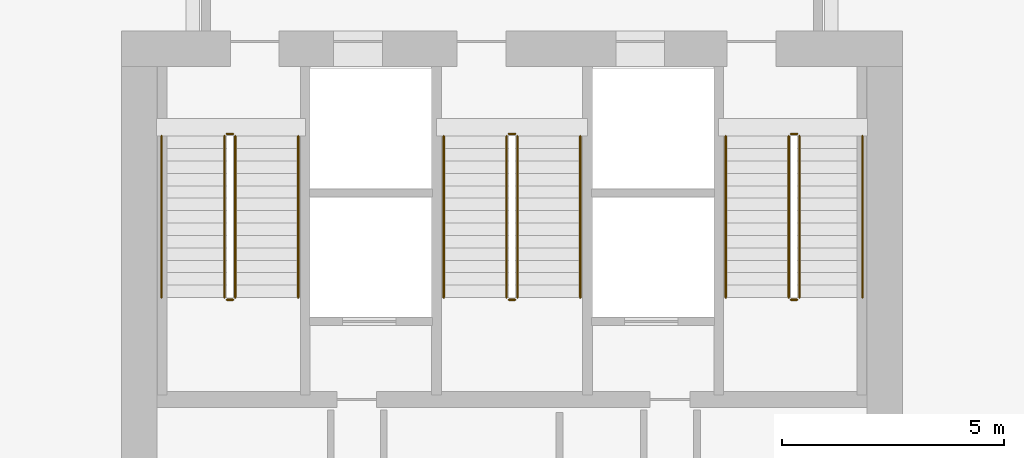
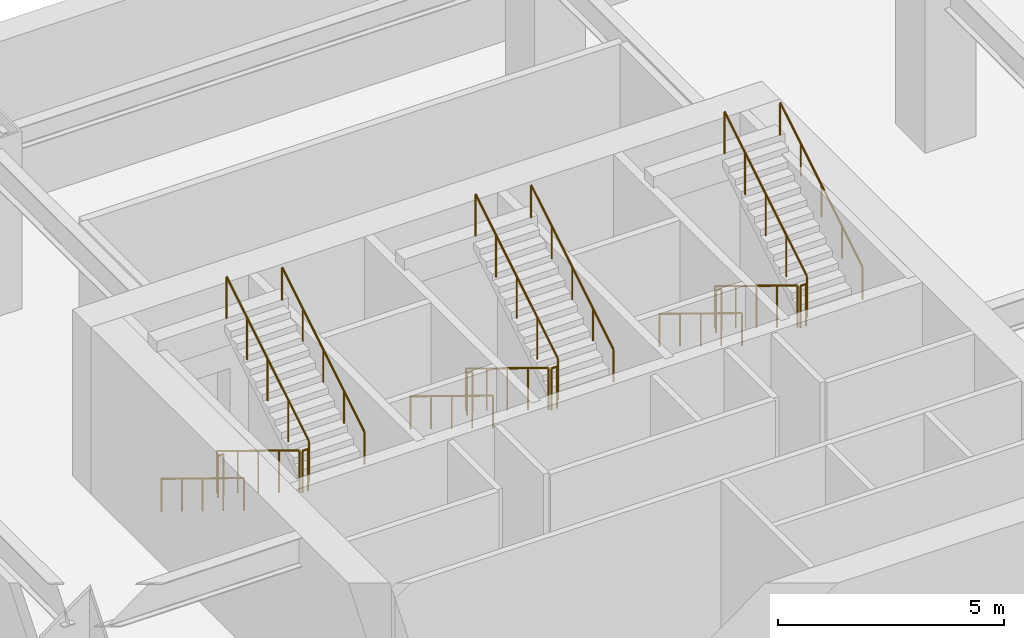
# One storey, part 13 of 15: 18 railings.
"""IFC4 building model written with IfcOpenShell, lengths in metres."""

from ifc_helpers import new_model, si_unit, direction, frame, origin, origin_2d, place, context, subcontext, project, spatial, circle, extrude, material, type_object, element, save


model = new_model("IFC4")

# Units and contexts
model_context = context("Model", 3, precision=1e-05, world=origin(), true_north=direction((0.0, 1.0)))
body_context = subcontext(model_context, "Body", "Model", "MODEL_VIEW")
ifc_project = project(units=[si_unit("LENGTHUNIT", "METRE"), si_unit("AREAUNIT", "SQUARE_METRE"), si_unit("VOLUMEUNIT", "CUBIC_METRE"), si_unit("PLANEANGLEUNIT", "RADIAN"), si_unit("MASSUNIT", "GRAM", prefix="KILO")], contexts=[model_context])

# Site, building, storey
site_placement = place(None, origin())
site = spatial("IfcSite", under=ifc_project, at=site_placement, CompositionType="ELEMENT")
building_placement = place(site_placement, origin())
building = spatial("IfcBuilding", under=site, at=building_placement, Name="Haolan Belvedere Tower", CompositionType="ELEMENT")
storey_placement = place(building_placement, frame((0.0, 0.0, -4.800048828125)))
storey = spatial("IfcBuildingStorey", under=building, at=storey_placement, Name="B1", CompositionType="ELEMENT", Elevation=-4.800048828125)

# Railings
ifc_material = material(Name="Brushed stainless steel 304", Category="steel")
railing_type_1 = type_object("IfcRailingType", Name="RL-STAIR-GRD-1150", PredefinedType="GUARDRAIL", material=ifc_material)
railing_1_placement = place(storey_placement, frame((31.919921875, 41.22998046875, 0.17138671875)))
element("IfcRailing", 1, at=railing_1_placement, inside=storey, type_object=railing_type_1, Name="B1 ST1 stair guard 1", PredefinedType="GUARDRAIL", context=body_context, shape_type="SweptSolid", body=[
    extrude(circle(Radius=0.02392578125, at=origin_2d()), frame((0.0, 0.0, 1.1259765625), z_axis=(0.0, -0.852824790078, 0.522197163366), x_axis=(1.0, 0.0, 0.0)), (0.0, 0.0, 1.0), 4.26806640625),
    extrude(circle(Radius=0.02099609375, at=origin_2d()), origin(), (0.0, 0.0, 1.0), 1.101806640625),
    extrude(circle(Radius=0.02099609375, at=origin_2d()), frame((0.0, -0.909912109375, 0.55712890625)), (0.0, 0.0, 1.0), 1.101806640625),
    extrude(circle(Radius=0.02099609375, at=origin_2d()), frame((0.0, -1.81982421875, 1.1142578125)), (0.0, 0.0, 1.0), 1.101806640625),
    extrude(circle(Radius=0.02099609375, at=origin_2d()), frame((0.0, -2.72998046875, 1.671630859375)), (0.0, 0.0, 1.0), 1.101806640625),
    extrude(circle(Radius=0.02099609375, at=origin_2d()), frame((0.0, -3.639892578125, 2.228759765625)), (0.0, 0.0, 1.0), 1.101806640625),
])
railing_2_placement = place(storey_placement, frame((31.969970703125, 37.5400390625, 2.400146484375)))
element("IfcRailing", 2, at=railing_2_placement, inside=storey, type_object=railing_type_1, Name="B1 ST1 stair guard 2", PredefinedType="GUARDRAIL", context=body_context, shape_type="SweptSolid", body=[
    extrude(circle(Radius=0.02392578125, at=origin_2d()), frame((0.0, 0.0, 1.1259765625), z_axis=(1.0, 0.0, 0.0), x_axis=(0.0, 1.0, 0.0)), (0.0, 0.0, 1.0), 0.14013671875),
    extrude(circle(Radius=0.02099609375, at=origin_2d()), origin(), (0.0, 0.0, 1.0), 1.101806640625),
    extrude(circle(Radius=0.02099609375, at=origin_2d()), frame((0.14013671875, 0.0, 0.0)), (0.0, 0.0, 1.0), 1.101806640625),
])
railing_3_placement = place(storey_placement, frame((32.159912109375, 37.590087890625, 2.571533203125)))
element("IfcRailing", 3, at=railing_3_placement, inside=storey, type_object=railing_type_1, Name="B1 ST1 stair guard 3", PredefinedType="GUARDRAIL", context=body_context, shape_type="SweptSolid", body=[
    extrude(circle(Radius=0.02392578125, at=origin_2d()), frame((0.0, 0.0, 1.1259765625), z_axis=(0.0, 0.852850264322, 0.5221555579), x_axis=(-1.0, 0.0, 0.0)), (0.0, 0.0, 1.0), 4.267822265625),
    extrude(circle(Radius=0.02099609375, at=origin_2d()), origin(), (0.0, 0.0, 1.0), 1.101806640625),
    extrude(circle(Radius=0.02099609375, at=origin_2d()), frame((0.0, 0.909912109375, 0.55712890625)), (0.0, 0.0, 1.0), 1.101806640625),
    extrude(circle(Radius=0.02099609375, at=origin_2d()), frame((0.0, 1.81982421875, 1.1142578125)), (0.0, 0.0, 1.0), 1.101806640625),
    extrude(circle(Radius=0.02099609375, at=origin_2d()), frame((0.0, 2.72998046875, 1.67138671875)), (0.0, 0.0, 1.0), 1.101806640625),
    extrude(circle(Radius=0.02099609375, at=origin_2d()), frame((0.0, 3.639892578125, 2.228515625)), (0.0, 0.0, 1.0), 1.101806640625),
])
railing_4_placement = place(storey_placement, frame((31.969970703125, 41.280029296875, 0.0)))
element("IfcRailing", 4, at=railing_4_placement, inside=storey, type_object=railing_type_1, Name="B1 ST1 stair guard 4", PredefinedType="GUARDRAIL", context=body_context, shape_type="SweptSolid", body=[
    extrude(circle(Radius=0.02392578125, at=origin_2d()), frame((0.0, 0.0, 1.1259765625), z_axis=(1.0, 0.0, 0.0), x_axis=(0.0, 1.0, 0.0)), (0.0, 0.0, 1.0), 0.14013671875),
    extrude(circle(Radius=0.02099609375, at=origin_2d()), origin(), (0.0, 0.0, 1.0), 1.101806640625),
    extrude(circle(Radius=0.02099609375, at=origin_2d()), frame((0.14013671875, 0.0, 0.0)), (0.0, 0.0, 1.0), 1.101806640625),
])
railing_5_placement = place(storey_placement, frame((38.280029296875, 41.22998046875, 0.17138671875)))
element("IfcRailing", 5, at=railing_5_placement, inside=storey, type_object=railing_type_1, Name="B1 ST3 stair guard 1", PredefinedType="GUARDRAIL", context=body_context, shape_type="SweptSolid", body=[
    extrude(circle(Radius=0.02392578125, at=origin_2d()), frame((0.0, 0.0, 1.1259765625), z_axis=(0.0, -0.852824790078, 0.522197163366), x_axis=(1.0, 0.0, 0.0)), (0.0, 0.0, 1.0), 4.26806640625),
    extrude(circle(Radius=0.02099609375, at=origin_2d()), origin(), (0.0, 0.0, 1.0), 1.101806640625),
    extrude(circle(Radius=0.02099609375, at=origin_2d()), frame((0.0, -0.909912109375, 0.55712890625)), (0.0, 0.0, 1.0), 1.101806640625),
    extrude(circle(Radius=0.02099609375, at=origin_2d()), frame((0.0, -1.81982421875, 1.1142578125)), (0.0, 0.0, 1.0), 1.101806640625),
    extrude(circle(Radius=0.02099609375, at=origin_2d()), frame((0.0, -2.72998046875, 1.671630859375)), (0.0, 0.0, 1.0), 1.101806640625),
    extrude(circle(Radius=0.02099609375, at=origin_2d()), frame((0.0, -3.639892578125, 2.228759765625)), (0.0, 0.0, 1.0), 1.101806640625),
])
railing_6_placement = place(storey_placement, frame((38.330078125, 37.5400390625, 2.400146484375)))
element("IfcRailing", 6, at=railing_6_placement, inside=storey, type_object=railing_type_1, Name="B1 ST3 stair guard 2", PredefinedType="GUARDRAIL", context=body_context, shape_type="SweptSolid", body=[
    extrude(circle(Radius=0.02392578125, at=origin_2d()), frame((0.0, 0.0, 1.1259765625), z_axis=(1.0, 0.0, 0.0), x_axis=(0.0, 1.0, 0.0)), (0.0, 0.0, 1.0), 0.139892578125),
    extrude(circle(Radius=0.02099609375, at=origin_2d()), origin(), (0.0, 0.0, 1.0), 1.101806640625),
    extrude(circle(Radius=0.02099609375, at=origin_2d()), frame((0.139892578125, 0.0, 0.0)), (0.0, 0.0, 1.0), 1.101806640625),
])
railing_7_placement = place(storey_placement, frame((38.52001953125, 37.590087890625, 2.571533203125)))
element("IfcRailing", 7, at=railing_7_placement, inside=storey, type_object=railing_type_1, Name="B1 ST3 stair guard 3", PredefinedType="GUARDRAIL", context=body_context, shape_type="SweptSolid", body=[
    extrude(circle(Radius=0.02392578125, at=origin_2d()), frame((0.0, 0.0, 1.1259765625), z_axis=(0.0, 0.852850264322, 0.5221555579), x_axis=(-1.0, 0.0, 0.0)), (0.0, 0.0, 1.0), 4.267822265625),
    extrude(circle(Radius=0.02099609375, at=origin_2d()), origin(), (0.0, 0.0, 1.0), 1.101806640625),
    extrude(circle(Radius=0.02099609375, at=origin_2d()), frame((0.0, 0.909912109375, 0.55712890625)), (0.0, 0.0, 1.0), 1.101806640625),
    extrude(circle(Radius=0.02099609375, at=origin_2d()), frame((0.0, 1.81982421875, 1.1142578125)), (0.0, 0.0, 1.0), 1.101806640625),
    extrude(circle(Radius=0.02099609375, at=origin_2d()), frame((0.0, 2.72998046875, 1.67138671875)), (0.0, 0.0, 1.0), 1.101806640625),
    extrude(circle(Radius=0.02099609375, at=origin_2d()), frame((0.0, 3.639892578125, 2.228515625)), (0.0, 0.0, 1.0), 1.101806640625),
])
railing_8_placement = place(storey_placement, frame((38.330078125, 41.280029296875, 0.0)))
element("IfcRailing", 8, at=railing_8_placement, inside=storey, type_object=railing_type_1, Name="B1 ST3 stair guard 4", PredefinedType="GUARDRAIL", context=body_context, shape_type="SweptSolid", body=[
    extrude(circle(Radius=0.02392578125, at=origin_2d()), frame((0.0, 0.0, 1.1259765625), z_axis=(1.0, 0.0, 0.0), x_axis=(0.0, 1.0, 0.0)), (0.0, 0.0, 1.0), 0.139892578125),
    extrude(circle(Radius=0.02099609375, at=origin_2d()), origin(), (0.0, 0.0, 1.0), 1.101806640625),
    extrude(circle(Radius=0.02099609375, at=origin_2d()), frame((0.139892578125, 0.0, 0.0)), (0.0, 0.0, 1.0), 1.101806640625),
])
railing_9_placement = place(storey_placement, frame((44.639892578125, 41.22998046875, 0.17138671875)))
element("IfcRailing", 9, at=railing_9_placement, inside=storey, type_object=railing_type_1, Name="B1 ST2 stair guard 1", PredefinedType="GUARDRAIL", context=body_context, shape_type="SweptSolid", body=[
    extrude(circle(Radius=0.02392578125, at=origin_2d()), frame((0.0, 0.0, 1.1259765625), z_axis=(0.0, -0.852824790078, 0.522197163366), x_axis=(1.0, 0.0, 0.0)), (0.0, 0.0, 1.0), 4.26806640625),
    extrude(circle(Radius=0.02099609375, at=origin_2d()), origin(), (0.0, 0.0, 1.0), 1.101806640625),
    extrude(circle(Radius=0.02099609375, at=origin_2d()), frame((0.0, -0.909912109375, 0.55712890625)), (0.0, 0.0, 1.0), 1.101806640625),
    extrude(circle(Radius=0.02099609375, at=origin_2d()), frame((0.0, -1.81982421875, 1.1142578125)), (0.0, 0.0, 1.0), 1.101806640625),
    extrude(circle(Radius=0.02099609375, at=origin_2d()), frame((0.0, -2.72998046875, 1.671630859375)), (0.0, 0.0, 1.0), 1.101806640625),
    extrude(circle(Radius=0.02099609375, at=origin_2d()), frame((0.0, -3.639892578125, 2.228759765625)), (0.0, 0.0, 1.0), 1.101806640625),
])
railing_10_placement = place(storey_placement, frame((44.68994140625, 37.5400390625, 2.400146484375)))
element("IfcRailing", 10, at=railing_10_placement, inside=storey, type_object=railing_type_1, Name="B1 ST2 stair guard 2", PredefinedType="GUARDRAIL", context=body_context, shape_type="SweptSolid", body=[
    extrude(circle(Radius=0.02392578125, at=origin_2d()), frame((0.0, 0.0, 1.1259765625), z_axis=(1.0, 0.0, 0.0), x_axis=(0.0, 1.0, 0.0)), (0.0, 0.0, 1.0), 0.14013671875),
    extrude(circle(Radius=0.02099609375, at=origin_2d()), origin(), (0.0, 0.0, 1.0), 1.101806640625),
    extrude(circle(Radius=0.02099609375, at=origin_2d()), frame((0.14013671875, 0.0, 0.0)), (0.0, 0.0, 1.0), 1.101806640625),
])
railing_11_placement = place(storey_placement, frame((44.8798828125, 37.590087890625, 2.571533203125)))
element("IfcRailing", 11, at=railing_11_placement, inside=storey, type_object=railing_type_1, Name="B1 ST2 stair guard 3", PredefinedType="GUARDRAIL", context=body_context, shape_type="SweptSolid", body=[
    extrude(circle(Radius=0.02392578125, at=origin_2d()), frame((0.0, 0.0, 1.1259765625), z_axis=(0.0, 0.852850264322, 0.5221555579), x_axis=(-1.0, 0.0, 0.0)), (0.0, 0.0, 1.0), 4.267822265625),
    extrude(circle(Radius=0.02099609375, at=origin_2d()), origin(), (0.0, 0.0, 1.0), 1.101806640625),
    extrude(circle(Radius=0.02099609375, at=origin_2d()), frame((0.0, 0.909912109375, 0.55712890625)), (0.0, 0.0, 1.0), 1.101806640625),
    extrude(circle(Radius=0.02099609375, at=origin_2d()), frame((0.0, 1.81982421875, 1.1142578125)), (0.0, 0.0, 1.0), 1.101806640625),
    extrude(circle(Radius=0.02099609375, at=origin_2d()), frame((0.0, 2.72998046875, 1.67138671875)), (0.0, 0.0, 1.0), 1.101806640625),
    extrude(circle(Radius=0.02099609375, at=origin_2d()), frame((0.0, 3.639892578125, 2.228515625)), (0.0, 0.0, 1.0), 1.101806640625),
])
railing_12_placement = place(storey_placement, frame((44.68994140625, 41.280029296875, 0.0)))
element("IfcRailing", 12, at=railing_12_placement, inside=storey, type_object=railing_type_1, Name="B1 ST2 stair guard 4", PredefinedType="GUARDRAIL", context=body_context, shape_type="SweptSolid", body=[
    extrude(circle(Radius=0.02392578125, at=origin_2d()), frame((0.0, 0.0, 1.1259765625), z_axis=(1.0, 0.0, 0.0), x_axis=(0.0, 1.0, 0.0)), (0.0, 0.0, 1.0), 0.14013671875),
    extrude(circle(Radius=0.02099609375, at=origin_2d()), origin(), (0.0, 0.0, 1.0), 1.101806640625),
    extrude(circle(Radius=0.02099609375, at=origin_2d()), frame((0.14013671875, 0.0, 0.0)), (0.0, 0.0, 1.0), 1.101806640625),
])
railing_type_2 = type_object("IfcRailingType", Name="RL-STAIR-HND-900", PredefinedType="HANDRAIL", material=ifc_material)
railing_13_placement = place(storey_placement, frame((30.5, 41.22998046875, 0.17138671875)))
element("IfcRailing", 13, at=railing_13_placement, inside=storey, type_object=railing_type_2, Name="B1 ST1 stair handrail 1", PredefinedType="HANDRAIL", context=body_context, shape_type="SweptSolid", body=[
    extrude(circle(Radius=0.02392578125, at=origin_2d()), frame((0.0, 0.0, 0.8759765625), z_axis=(0.0, -0.852824790078, 0.522197163366), x_axis=(1.0, 0.0, 0.0)), (0.0, 0.0, 1.0), 4.26806640625),
    extrude(circle(Radius=0.02099609375, at=origin_2d()), origin(), (0.0, 0.0, 1.0), 0.851806640625),
    extrude(circle(Radius=0.02099609375, at=origin_2d()), frame((0.0, -0.909912109375, 0.55712890625)), (0.0, 0.0, 1.0), 0.851806640625),
    extrude(circle(Radius=0.02099609375, at=origin_2d()), frame((0.0, -1.81982421875, 1.1142578125)), (0.0, 0.0, 1.0), 0.851806640625),
    extrude(circle(Radius=0.02099609375, at=origin_2d()), frame((0.0, -2.72998046875, 1.671630859375)), (0.0, 0.0, 1.0), 0.851806640625),
    extrude(circle(Radius=0.02099609375, at=origin_2d()), frame((0.0, -3.639892578125, 2.228759765625)), (0.0, 0.0, 1.0), 0.851806640625),
])
railing_14_placement = place(storey_placement, frame((33.580078125, 37.590087890625, 2.571533203125)))
element("IfcRailing", 14, at=railing_14_placement, inside=storey, type_object=railing_type_2, Name="B1 ST1 stair handrail 2", PredefinedType="HANDRAIL", context=body_context, shape_type="SweptSolid", body=[
    extrude(circle(Radius=0.02392578125, at=origin_2d()), frame((0.0, 0.0, 0.8759765625), z_axis=(0.0, 0.852850264322, 0.5221555579), x_axis=(-1.0, 0.0, 0.0)), (0.0, 0.0, 1.0), 4.267822265625),
    extrude(circle(Radius=0.02099609375, at=origin_2d()), origin(), (0.0, 0.0, 1.0), 0.851806640625),
    extrude(circle(Radius=0.02099609375, at=origin_2d()), frame((0.0, 0.909912109375, 0.55712890625)), (0.0, 0.0, 1.0), 0.851806640625),
    extrude(circle(Radius=0.02099609375, at=origin_2d()), frame((0.0, 1.81982421875, 1.1142578125)), (0.0, 0.0, 1.0), 0.851806640625),
    extrude(circle(Radius=0.02099609375, at=origin_2d()), frame((0.0, 2.72998046875, 1.67138671875)), (0.0, 0.0, 1.0), 0.851806640625),
    extrude(circle(Radius=0.02099609375, at=origin_2d()), frame((0.0, 3.639892578125, 2.228515625)), (0.0, 0.0, 1.0), 0.851806640625),
])
railing_15_placement = place(storey_placement, frame((36.860107421875, 41.22998046875, 0.17138671875)))
element("IfcRailing", 15, at=railing_15_placement, inside=storey, type_object=railing_type_2, Name="B1 ST3 stair handrail 1", PredefinedType="HANDRAIL", context=body_context, shape_type="SweptSolid", body=[
    extrude(circle(Radius=0.02392578125, at=origin_2d()), frame((0.0, 0.0, 0.8759765625), z_axis=(0.0, -0.852824790078, 0.522197163366), x_axis=(1.0, 0.0, 0.0)), (0.0, 0.0, 1.0), 4.26806640625),
    extrude(circle(Radius=0.02099609375, at=origin_2d()), origin(), (0.0, 0.0, 1.0), 0.851806640625),
    extrude(circle(Radius=0.02099609375, at=origin_2d()), frame((0.0, -0.909912109375, 0.55712890625)), (0.0, 0.0, 1.0), 0.851806640625),
    extrude(circle(Radius=0.02099609375, at=origin_2d()), frame((0.0, -1.81982421875, 1.1142578125)), (0.0, 0.0, 1.0), 0.851806640625),
    extrude(circle(Radius=0.02099609375, at=origin_2d()), frame((0.0, -2.72998046875, 1.671630859375)), (0.0, 0.0, 1.0), 0.851806640625),
    extrude(circle(Radius=0.02099609375, at=origin_2d()), frame((0.0, -3.639892578125, 2.228759765625)), (0.0, 0.0, 1.0), 0.851806640625),
])
railing_16_placement = place(storey_placement, frame((39.93994140625, 37.590087890625, 2.571533203125)))
element("IfcRailing", 16, at=railing_16_placement, inside=storey, type_object=railing_type_2, Name="B1 ST3 stair handrail 2", PredefinedType="HANDRAIL", context=body_context, shape_type="SweptSolid", body=[
    extrude(circle(Radius=0.02392578125, at=origin_2d()), frame((0.0, 0.0, 0.8759765625), z_axis=(0.0, 0.852850264322, 0.5221555579), x_axis=(-1.0, 0.0, 0.0)), (0.0, 0.0, 1.0), 4.267822265625),
    extrude(circle(Radius=0.02099609375, at=origin_2d()), origin(), (0.0, 0.0, 1.0), 0.851806640625),
    extrude(circle(Radius=0.02099609375, at=origin_2d()), frame((0.0, 0.909912109375, 0.55712890625)), (0.0, 0.0, 1.0), 0.851806640625),
    extrude(circle(Radius=0.02099609375, at=origin_2d()), frame((0.0, 1.81982421875, 1.1142578125)), (0.0, 0.0, 1.0), 0.851806640625),
    extrude(circle(Radius=0.02099609375, at=origin_2d()), frame((0.0, 2.72998046875, 1.67138671875)), (0.0, 0.0, 1.0), 0.851806640625),
    extrude(circle(Radius=0.02099609375, at=origin_2d()), frame((0.0, 3.639892578125, 2.228515625)), (0.0, 0.0, 1.0), 0.851806640625),
])
railing_17_placement = place(storey_placement, frame((43.219970703125, 41.22998046875, 0.17138671875)))
element("IfcRailing", 17, at=railing_17_placement, inside=storey, type_object=railing_type_2, Name="B1 ST2 stair handrail 1", PredefinedType="HANDRAIL", context=body_context, shape_type="SweptSolid", body=[
    extrude(circle(Radius=0.02392578125, at=origin_2d()), frame((0.0, 0.0, 0.8759765625), z_axis=(0.0, -0.852824790078, 0.522197163366), x_axis=(1.0, 0.0, 0.0)), (0.0, 0.0, 1.0), 4.26806640625),
    extrude(circle(Radius=0.02099609375, at=origin_2d()), origin(), (0.0, 0.0, 1.0), 0.851806640625),
    extrude(circle(Radius=0.02099609375, at=origin_2d()), frame((0.0, -0.909912109375, 0.55712890625)), (0.0, 0.0, 1.0), 0.851806640625),
    extrude(circle(Radius=0.02099609375, at=origin_2d()), frame((0.0, -1.81982421875, 1.1142578125)), (0.0, 0.0, 1.0), 0.851806640625),
    extrude(circle(Radius=0.02099609375, at=origin_2d()), frame((0.0, -2.72998046875, 1.671630859375)), (0.0, 0.0, 1.0), 0.851806640625),
    extrude(circle(Radius=0.02099609375, at=origin_2d()), frame((0.0, -3.639892578125, 2.228759765625)), (0.0, 0.0, 1.0), 0.851806640625),
])
railing_18_placement = place(storey_placement, frame((46.300048828125, 37.590087890625, 2.571533203125)))
element("IfcRailing", 18, at=railing_18_placement, inside=storey, type_object=railing_type_2, Name="B1 ST2 stair handrail 2", PredefinedType="HANDRAIL", context=body_context, shape_type="SweptSolid", body=[
    extrude(circle(Radius=0.02392578125, at=origin_2d()), frame((0.0, 0.0, 0.8759765625), z_axis=(0.0, 0.852850264322, 0.5221555579), x_axis=(-1.0, 0.0, 0.0)), (0.0, 0.0, 1.0), 4.267822265625),
    extrude(circle(Radius=0.02099609375, at=origin_2d()), origin(), (0.0, 0.0, 1.0), 0.851806640625),
    extrude(circle(Radius=0.02099609375, at=origin_2d()), frame((0.0, 0.909912109375, 0.55712890625)), (0.0, 0.0, 1.0), 0.851806640625),
    extrude(circle(Radius=0.02099609375, at=origin_2d()), frame((0.0, 1.81982421875, 1.1142578125)), (0.0, 0.0, 1.0), 0.851806640625),
    extrude(circle(Radius=0.02099609375, at=origin_2d()), frame((0.0, 2.72998046875, 1.67138671875)), (0.0, 0.0, 1.0), 0.851806640625),
    extrude(circle(Radius=0.02099609375, at=origin_2d()), frame((0.0, 3.639892578125, 2.228515625)), (0.0, 0.0, 1.0), 0.851806640625),
])

save(model, "model.ifc")
